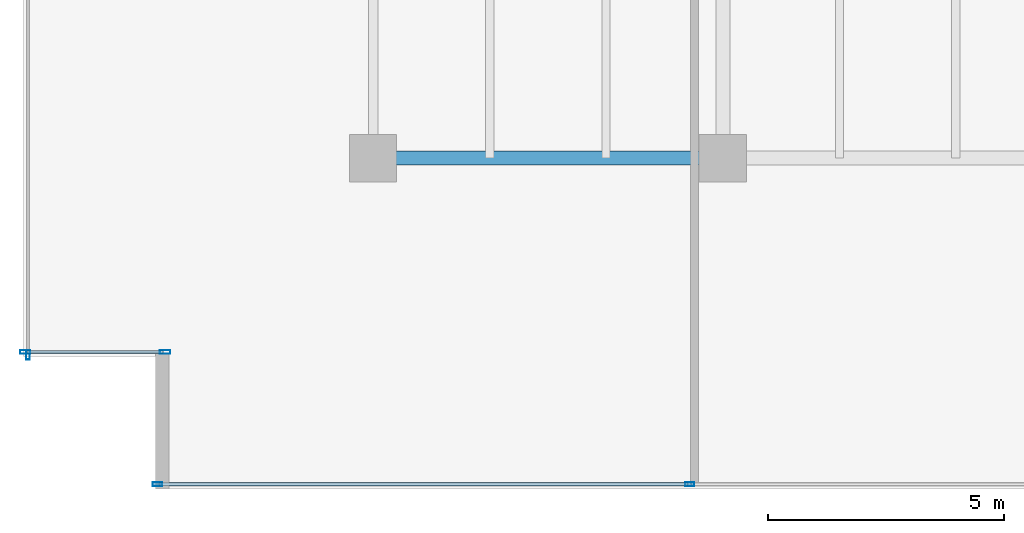
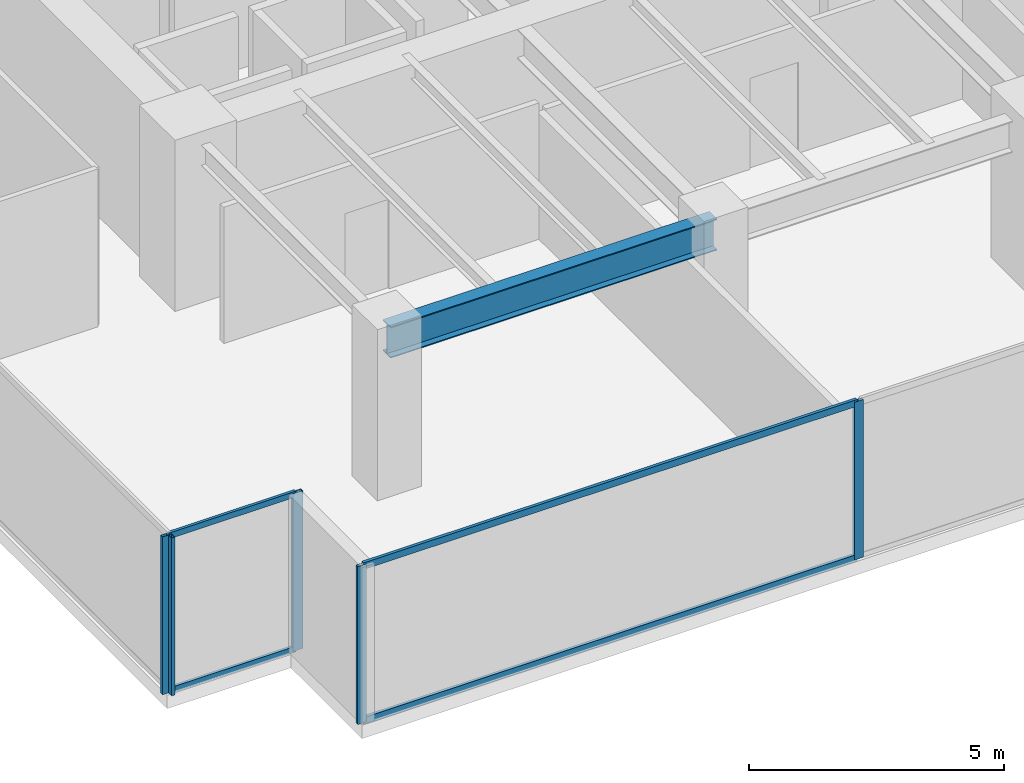
# One storey, part 2 of 35: 9 members, 1 beam, 3 elements without a shape of their own.
"""IFC4 building model written with IfcOpenShell, lengths in metres."""

from ifc_helpers import new_model, si_unit, direction, frame, origin, origin_2d, place, context, subcontext, project, spatial, hollow_rectangle, i_section, extrude, source, transform, mapped, material, layer, layer_set, material_profile, profile_set, type_object, type_shapes, element, aggregate, save


model = new_model("IFC4")

# Units and contexts
model_context = context("Model", 3, precision=1e-05, world=origin(), true_north=direction((0.0, 1.0)))
body_context = subcontext(model_context, "Body", "Model", "MODEL_VIEW")
ifc_project = project(units=[si_unit("LENGTHUNIT", "METRE"), si_unit("AREAUNIT", "SQUARE_METRE"), si_unit("VOLUMEUNIT", "CUBIC_METRE"), si_unit("PLANEANGLEUNIT", "RADIAN"), si_unit("MASSUNIT", "GRAM", prefix="KILO")], contexts=[model_context])

# Site, building, storey
site_placement = place(None, origin())
site = spatial("IfcSite", under=ifc_project, at=site_placement, CompositionType="ELEMENT")
building_placement = place(site_placement, origin())
building = spatial("IfcBuilding", under=site, at=building_placement, Name="Haelvirn Gate Laboratories", CompositionType="ELEMENT")
storey_placement = place(building_placement, frame((0.0, 0.0, 45.699951171875)))
storey = spatial("IfcBuildingStorey", under=building, at=storey_placement, Name="L11", CompositionType="ELEMENT", Elevation=45.699951171875)

# Beam
ifc_material_1 = material(Name="Steel SM355", Category="steel")
ifc_material_profile_1 = material_profile(ifc_material_1, i_section(OverallWidth=0.300048828125, OverallDepth=0.75, WebThickness=0.013916015625, FlangeThickness=0.02392578125, at=origin_2d()), Name="H-750x300x14x24")
ifc_profile_set_1 = profile_set([ifc_material_profile_1], Name="Steel SM355")
beam_type = type_object("IfcBeamType", Name="BM-G-750", PredefinedType="BEAM", material=ifc_profile_set_1)
shared_shape_1 = source(origin(), body_context, "Body", "SweptSolid", [
    extrude(i_section(OverallWidth=0.300048828125, OverallDepth=0.75, WebThickness=0.013916015625, FlangeThickness=0.02392578125, at=origin_2d()), origin(), (0.0, 0.0, 1.0), 7.400146484375),
])
type_shapes(beam_type, [shared_shape_1])
beam_placement = place(storey_placement, frame((7.39990234375, 7.0, 3.405029296875), z_axis=(1.0, 0.0, 0.0), x_axis=(0.0, 1.0, 0.0)))
element("IfcBeam", 1, at=beam_placement, inside=storey, type_object=beam_type, Name="L11 Primary Girder Y7.0 (7.4-14.8)", PredefinedType="BEAM", context=body_context, shape_type="MappedRepresentation", body=[
    mapped(shared_shape_1, transform((0.0, 0.0, 0.0), scale=1.0)),
])

# Curtain wall, members
ifc_material_2 = material(Name="Anodised bronze unitised aluminium & triple low-E glass", Category="aluminium")
ifc_layer_1 = layer(ifc_material_2, 0.18408203125, Name="CW-SYS-2")
ifc_layer_set_1 = layer_set([ifc_layer_1], Name="Anodised bronze unitised aluminium & triple low-E glass")
curtain_wall_type_1 = type_object("IfcCurtainWallType", Name="CW-SYS-2", PredefinedType="NOTDEFINED", material=ifc_layer_set_1)
curtain_wall_1_placement = place(storey_placement, origin())
curtain_wall_1 = element("IfcCurtainWall", 2, at=curtain_wall_1_placement, inside=storey, type_object=curtain_wall_type_1, Name="L11 Unitised Curtain Wall CW-L11-P0-E00-1", PredefinedType="NOTDEFINED")
ifc_material_3 = material(Name="Extruded aluminium 6063-T6 (anodised bronze)", Category="aluminium")
ifc_material_profile_2 = material_profile(ifc_material_3, hollow_rectangle(XDim=0.074951171875, YDim=0.199951171875, WallThickness=0.0048828125, at=origin_2d()), Name="CWM-200x75x5")
ifc_profile_set_2 = profile_set([ifc_material_profile_2], Name="Extruded aluminium 6063-T6 (anodised bronze)")
member_type_1 = type_object("IfcMemberType", Name="CWM-T200", PredefinedType="MULLION", material=ifc_profile_set_2)
shared_shape_2 = source(origin(), body_context, "Body", "SweptSolid", [
    extrude(hollow_rectangle(XDim=0.074951171875, YDim=0.199951171875, WallThickness=0.0048828125, at=origin_2d()), origin(), (0.0, 0.0, 1.0), 3.780029296875),
])
type_shapes(member_type_1, [shared_shape_2])
member_1_placement = place(storey_placement, frame((2.83740234375, 0.10009765625, 0.0), z_axis=(0.0, 0.0, 1.0), x_axis=(0.0, 1.0, 0.0)))
member_1 = element("IfcMember", 3, at=member_1_placement, type_object=member_type_1, Name="CW2 mullion 1", PredefinedType="MULLION", context=body_context, shape_type="MappedRepresentation", body=[
    mapped(shared_shape_2, transform((0.0, 0.0, 0.0), scale=1.0)),
])
member_2_placement = place(storey_placement, frame((14.10009765625, 0.10009765625, 0.0), z_axis=(0.0, 0.0, 1.0), x_axis=(0.0, 1.0, 0.0)))
member_2 = element("IfcMember", 4, at=member_2_placement, type_object=member_type_1, Name="CW2 mullion 2", PredefinedType="MULLION", context=body_context, shape_type="MappedRepresentation", body=[
    mapped(shared_shape_2, transform((0.0, 0.0, 0.0), scale=1.0)),
])

# Curtain wall, member
curtain_wall_2_placement = place(storey_placement, origin())
curtain_wall_2 = element("IfcCurtainWall", 5, at=curtain_wall_2_placement, inside=storey, type_object=curtain_wall_type_1, Name="L11 Unitised Curtain Wall CW-L11-P0-E17", PredefinedType="NOTDEFINED")
member_3_placement = place(storey_placement, frame((0.10009765625, 2.83740234375, 0.0), z_axis=(0.0, 0.0, 1.0), x_axis=(1.0, 0.0, 0.0)))
member_3 = element("IfcMember", 6, at=member_3_placement, type_object=member_type_1, Name="CW2 mullion 4", PredefinedType="MULLION", context=body_context, shape_type="MappedRepresentation", body=[
    mapped(shared_shape_2, transform((0.0, 0.0, 0.0), scale=1.0)),
])
aggregate(curtain_wall_2, [member_3])

# Member
ifc_material_profile_3 = material_profile(ifc_material_3, hollow_rectangle(XDim=0.070068359375, YDim=0.159912109375, WallThickness=0.0048828125, at=origin_2d()), Name="CWT-160x70x5")
ifc_profile_set_3 = profile_set([ifc_material_profile_3], Name="Extruded aluminium 6063-T6 (anodised bronze)")
member_type_2 = type_object("IfcMemberType", Name="CWT-T160", PredefinedType="USERDEFINED", material=ifc_profile_set_3)
shared_shape_3 = source(origin(), body_context, "Body", "SweptSolid", [
    extrude(hollow_rectangle(XDim=0.070068359375, YDim=0.159912109375, WallThickness=0.0048828125, at=origin_2d()), origin(), (0.0, 0.0, 1.0), 11.1875),
])
type_shapes(member_type_2, [shared_shape_3])
member_4_placement = place(storey_placement, frame((2.875, 0.10009765625, 0.03515625), z_axis=(1.0, 0.0, 0.0), x_axis=(0.0, 1.0, 0.0)))
member_4 = element("IfcMember", 7, at=member_4_placement, type_object=member_type_2, Name="CW2 transom 1.1", ObjectType="TRANSOM", PredefinedType="USERDEFINED", context=body_context, shape_type="MappedRepresentation", body=[
    mapped(shared_shape_3, transform((0.0, 0.0, 0.0), scale=1.0)),
])

member_5_placement = place(storey_placement, frame((2.875, 0.10009765625, 3.7451171875), z_axis=(1.0, 0.0, 0.0), x_axis=(0.0, 1.0, 0.0)))
member_5 = element("IfcMember", 8, at=member_5_placement, type_object=member_type_2, Name="CW2 transom 1.2", ObjectType="TRANSOM", PredefinedType="USERDEFINED", context=body_context, shape_type="MappedRepresentation", body=[
    mapped(shared_shape_3, transform((0.0, 0.0, 0.0), scale=1.0)),
])

aggregate(curtain_wall_1, [member_1, member_2, member_4, member_5])

# Curtain wall, members
ifc_layer_2 = layer(ifc_material_2, 0.181884765625, Name="CW-SYS-5")
ifc_layer_set_2 = layer_set([ifc_layer_2], Name="Anodised bronze unitised aluminium & triple low-E glass")
curtain_wall_type_2 = type_object("IfcCurtainWallType", Name="CW-SYS-5", PredefinedType="NOTDEFINED", material=ifc_layer_set_2)
curtain_wall_3_placement = place(storey_placement, origin())
curtain_wall_3 = element("IfcCurtainWall", 9, at=curtain_wall_3_placement, inside=storey, type_object=curtain_wall_type_2, Name="L11 Unitised Curtain Wall CW-L11-P0-E18-1", PredefinedType="NOTDEFINED")
ifc_material_profile_4 = material_profile(ifc_material_3, hollow_rectangle(XDim=0.080078125, YDim=0.219970703125, WallThickness=0.006103515625, at=origin_2d()), Name="CWM-220x80x6")
ifc_profile_set_4 = profile_set([ifc_material_profile_4], Name="Extruded aluminium 6063-T6 (anodised bronze)")
member_type_3 = type_object("IfcMemberType", Name="CWM-T220", PredefinedType="MULLION", material=ifc_profile_set_4)
shared_shape_4 = source(origin(), body_context, "Body", "SweptSolid", [
    extrude(hollow_rectangle(XDim=0.080078125, YDim=0.219970703125, WallThickness=0.006103515625, at=origin_2d()), origin(), (0.0, 0.0, 1.0), 3.780029296875),
])
type_shapes(member_type_3, [shared_shape_4])
member_6_placement = place(storey_placement, frame((0.0400390625, 2.89990234375, 0.0), z_axis=(0.0, 0.0, 1.0), x_axis=(0.0, 1.0, 0.0)))
member_6 = element("IfcMember", 10, at=member_6_placement, type_object=member_type_3, Name="CW5 mullion 1", PredefinedType="MULLION", context=body_context, shape_type="MappedRepresentation", body=[
    mapped(shared_shape_4, transform((0.0, 0.0, 0.0), scale=1.0)),
])
member_7_placement = place(storey_placement, frame((3.0, 2.89990234375, 0.0), z_axis=(0.0, 0.0, 1.0), x_axis=(0.0, 1.0, 0.0)))
member_7 = element("IfcMember", 11, at=member_7_placement, type_object=member_type_3, Name="CW5 mullion 2", PredefinedType="MULLION", context=body_context, shape_type="MappedRepresentation", body=[
    mapped(shared_shape_4, transform((0.0, 0.0, 0.0), scale=1.0)),
])
ifc_material_profile_5 = material_profile(ifc_material_3, hollow_rectangle(XDim=0.06494140625, YDim=0.139892578125, WallThickness=0.00390625, at=origin_2d()), Name="CWT-140x65x4")
ifc_profile_set_5 = profile_set([ifc_material_profile_5], Name="Extruded aluminium 6063-T6 (anodised bronze)")
member_type_4 = type_object("IfcMemberType", Name="CWT-T140", PredefinedType="USERDEFINED", material=ifc_profile_set_5)
shared_shape_5 = source(origin(), body_context, "Body", "SweptSolid", [
    extrude(hollow_rectangle(XDim=0.06494140625, YDim=0.139892578125, WallThickness=0.00390625, at=origin_2d()), origin(), (0.0, 0.0, 1.0), 2.8798828125),
])
type_shapes(member_type_4, [shared_shape_5])
member_8_placement = place(storey_placement, frame((0.080078125, 2.89990234375, 0.032470703125), z_axis=(1.0, 0.0, 0.0), x_axis=(0.0, 1.0, 0.0)))
member_8 = element("IfcMember", 12, at=member_8_placement, type_object=member_type_4, Name="CW5 transom 1.1", ObjectType="TRANSOM", PredefinedType="USERDEFINED", context=body_context, shape_type="MappedRepresentation", body=[
    mapped(shared_shape_5, transform((0.0, 0.0, 0.0), scale=1.0)),
])
member_9_placement = place(storey_placement, frame((0.080078125, 2.89990234375, 3.74755859375), z_axis=(1.0, 0.0, 0.0), x_axis=(0.0, 1.0, 0.0)))
member_9 = element("IfcMember", 13, at=member_9_placement, type_object=member_type_4, Name="CW5 transom 1.2", ObjectType="TRANSOM", PredefinedType="USERDEFINED", context=body_context, shape_type="MappedRepresentation", body=[
    mapped(shared_shape_5, transform((0.0, 0.0, 0.0), scale=1.0)),
])
aggregate(curtain_wall_3, [member_6, member_7, member_8, member_9])

save(model, "model.ifc")
